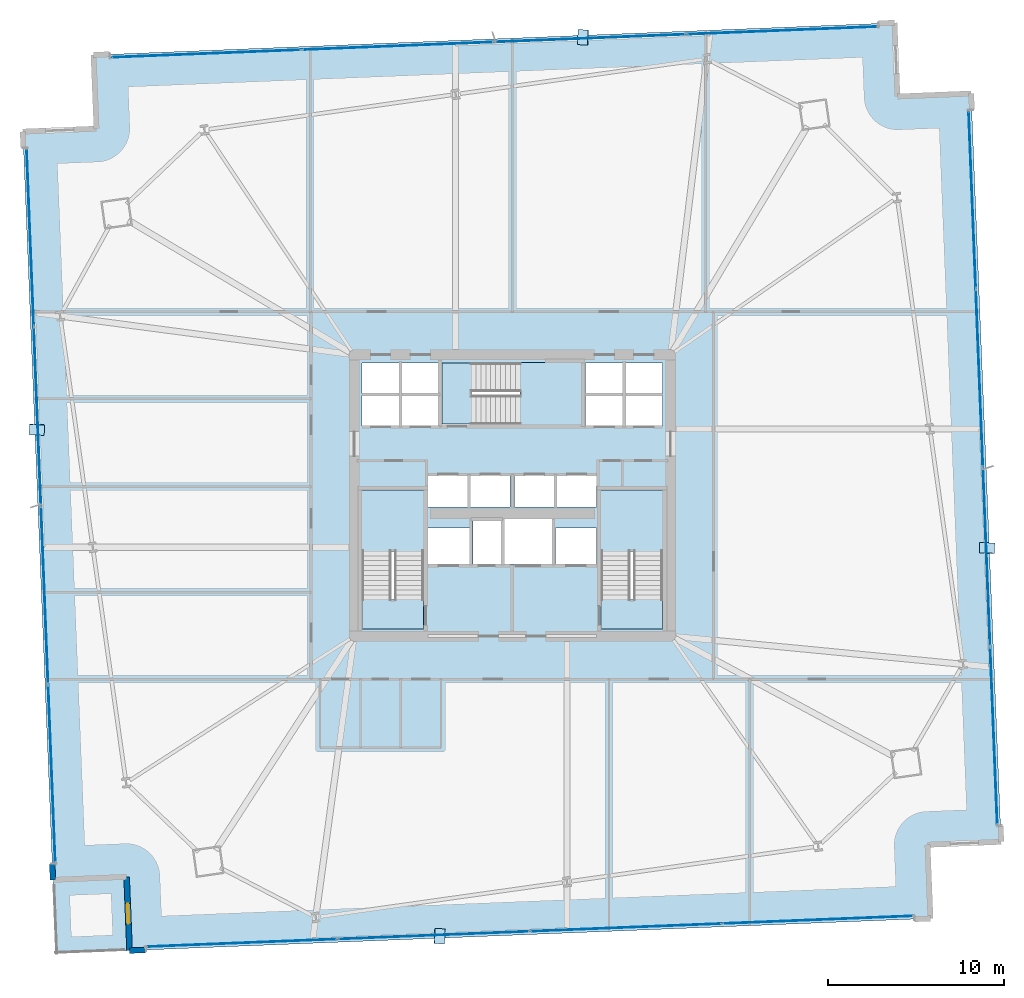
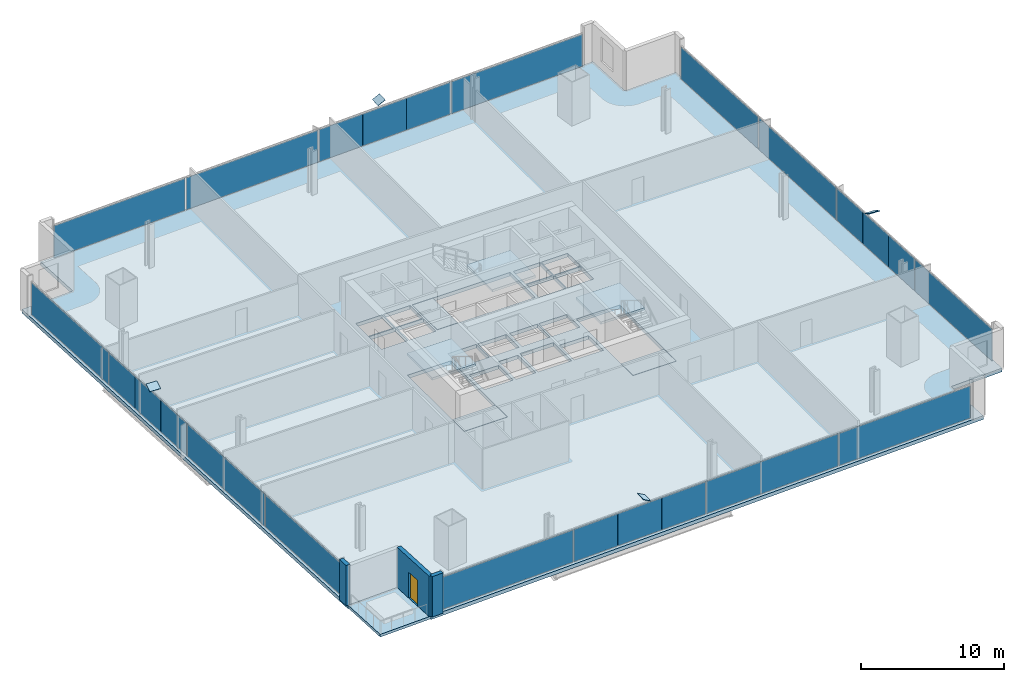
# One storey, part 24 of 32: 28 plates, 8 slabs, 3 walls, 1 door, 1 opening, 7 elements without a shape of their own.
"""IFC4 building model written with IfcOpenShell, lengths in metres."""

from ifc_helpers import new_model, si_unit, direction, frame, frame_2d, origin, origin_2d, place, context, subcontext, project, spatial, polyline, rectangle, outline, extrude, source, transform, mapped, material, layer, layer_set, type_object, element, fill, aggregate, save


model = new_model("IFC4")

# Units and contexts
model_context = context("Model", 3, precision=1e-05, world=origin(), true_north=direction((0.0, 1.0)))
body_context = subcontext(model_context, "Body", "Model", "MODEL_VIEW")
ifc_project = project(units=[si_unit("LENGTHUNIT", "METRE"), si_unit("AREAUNIT", "SQUARE_METRE"), si_unit("VOLUMEUNIT", "CUBIC_METRE"), si_unit("PLANEANGLEUNIT", "RADIAN"), si_unit("MASSUNIT", "GRAM", prefix="KILO")], contexts=[model_context])

# Site, building, storey
site_placement = place(None, origin())
site = spatial("IfcSite", under=ifc_project, at=site_placement, CompositionType="ELEMENT")
building_placement = place(site_placement, origin())
building = spatial("IfcBuilding", under=site, at=building_placement, Name="Haldenkirk Collegiate Tower", CompositionType="ELEMENT")
storey_placement = place(building_placement, frame((0.0, 0.0, 36.449951171875)))
storey = spatial("IfcBuildingStorey", under=building, at=storey_placement, Name="L07", CompositionType="ELEMENT", Elevation=36.449951171875)

# Slab
ifc_material_1 = material(Name="Concrete f'c 40 MPa", Category="concrete")
ifc_layer_1 = layer(ifc_material_1, 0.31005859375)
ifc_layer_set_1 = layer_set([ifc_layer_1], Name="Concrete f'c 40 MPa")
slab_type_1 = type_object("IfcSlabType", Name="SLB-FLR-310", PredefinedType="FLOOR", material=ifc_layer_set_1)
slab_1_placement = place(storey_placement, frame((0.0, 0.0, -0.31005859375)))
element("IfcSlab", 1, at=slab_1_placement, inside=storey, type_object=slab_type_1, Name="L07 composite structural floor slab", PredefinedType="FLOOR", context=body_context, shape_type="SweptSolid", body=[
    extrude(outline(polyline([(14.2216796875, 0.10498046875), (59.784912109375, 1.93505859375), (59.616455078125, 6.1318359375), (63.81298828125, 6.30029296875), (62.103515625, 48.865966796875), (57.90673828125, 48.697509765625), (57.73828125, 52.89404296875), (12.1748046875, 51.06396484375), (12.343505859375, 46.867431640625), (8.14697265625, 46.698974609375), (9.8564453125, 4.13330078125), (14.052978515625, 4.3017578125), (14.2216796875, 0.10498046875)]), holes=[polyline([(27.449951171875, 18.39990234375), (30.949951171875, 18.39990234375), (30.949951171875, 26.300048828125), (27.449951171875, 26.300048828125), (27.449951171875, 18.39990234375)]), polyline([(41.050048828125, 18.39990234375), (44.550048828125, 18.39990234375), (44.550048828125, 26.300048828125), (41.050048828125, 26.300048828125), (41.050048828125, 18.39990234375)]), polyline([(32.0, 30.050048828125), (39.89990234375, 30.050048828125), (39.89990234375, 33.550048828125), (32.0, 33.550048828125), (32.0, 30.050048828125)]), polyline([(33.75, 22.10009765625), (35.35009765625, 22.10009765625), (35.35009765625, 24.550048828125), (33.75, 24.550048828125), (33.75, 22.10009765625)]), polyline([(27.449951171875, 29.949951171875), (29.580078125, 29.949951171875), (29.580078125, 31.699951171875), (27.449951171875, 31.699951171875), (27.449951171875, 29.949951171875)]), polyline([(29.679931640625, 29.949951171875), (31.85009765625, 29.949951171875), (31.85009765625, 31.699951171875), (29.679931640625, 31.699951171875), (29.679931640625, 29.949951171875)]), polyline([(27.449951171875, 31.800048828125), (29.580078125, 31.800048828125), (29.580078125, 33.550048828125), (27.449951171875, 33.550048828125), (27.449951171875, 31.800048828125)]), polyline([(29.679931640625, 31.800048828125), (31.85009765625, 31.800048828125), (31.85009765625, 33.550048828125), (29.679931640625, 33.550048828125), (29.679931640625, 31.800048828125)]), polyline([(40.14990234375, 29.949951171875), (42.320068359375, 29.949951171875), (42.320068359375, 31.699951171875), (40.14990234375, 31.699951171875), (40.14990234375, 29.949951171875)]), polyline([(42.419921875, 29.949951171875), (44.550048828125, 29.949951171875), (44.550048828125, 31.699951171875), (42.419921875, 31.699951171875), (42.419921875, 29.949951171875)]), polyline([(40.14990234375, 31.800048828125), (42.320068359375, 31.800048828125), (42.320068359375, 33.550048828125), (40.14990234375, 33.550048828125), (40.14990234375, 31.800048828125)]), polyline([(42.419921875, 31.800048828125), (44.550048828125, 31.800048828125), (44.550048828125, 33.550048828125), (42.419921875, 33.550048828125), (42.419921875, 31.800048828125)]), polyline([(31.199951171875, 25.35009765625), (33.47998046875, 25.35009765625), (33.47998046875, 27.14990234375), (31.199951171875, 27.14990234375), (31.199951171875, 25.35009765625)]), polyline([(33.60009765625, 25.35009765625), (35.8798828125, 25.35009765625), (35.8798828125, 27.14990234375), (33.60009765625, 27.14990234375), (33.60009765625, 25.35009765625)]), polyline([(36.1201171875, 25.35009765625), (38.39990234375, 25.35009765625), (38.39990234375, 27.14990234375), (36.1201171875, 27.14990234375), (36.1201171875, 25.35009765625)]), polyline([(38.52001953125, 25.35009765625), (40.800048828125, 25.35009765625), (40.800048828125, 27.14990234375), (38.52001953125, 27.14990234375), (38.52001953125, 25.35009765625)]), polyline([(31.199951171875, 22.10009765625), (33.550048828125, 22.10009765625), (33.550048828125, 24.14990234375), (31.199951171875, 24.14990234375), (31.199951171875, 22.10009765625)]), polyline([(38.449951171875, 22.10009765625), (40.800048828125, 22.10009765625), (40.800048828125, 24.14990234375), (38.449951171875, 24.14990234375), (38.449951171875, 22.10009765625)]), polyline([(35.550048828125, 22.10009765625), (38.25, 22.10009765625), (38.25, 24.64990234375), (35.550048828125, 24.64990234375), (35.550048828125, 22.10009765625)])]), origin(), (0.0, 0.0, 1.0), 0.31005859375),
])

# Stair, slab
stair_type = type_object("IfcStairType", Name="STR-DOGLEG-1650", PredefinedType="HALF_TURN_STAIR", material=ifc_material_1)
stair_1_placement = place(storey_placement, origin())
stair_1 = element("IfcStair", 2, at=stair_1_placement, inside=storey, type_object=stair_type, Name="L07 Core Exit Stair ST-1", PredefinedType="HALF_TURN_STAIR")
ifc_layer_2 = layer(ifc_material_1, 0.199951171875)
ifc_layer_set_2 = layer_set([ifc_layer_2], Name="Concrete f'c 40 MPa")
slab_type_2 = type_object("IfcSlabType", Name="SLB-LANDING-200", PredefinedType="LANDING", material=ifc_layer_set_2)
slab_2_placement = place(storey_placement, frame((0.0, 0.0, 1.675048828125)))
slab_2 = element("IfcSlab", 3, at=slab_2_placement, type_object=slab_type_2, Name="ST-1 landing 1", PredefinedType="LANDING", context=body_context, shape_type="SweptSolid", body=[
    extrude(outline(polyline([(30.97509765625, 22.824951171875), (27.425048828125, 22.824951171875), (27.425048828125, 26.324951171875), (30.97509765625, 26.324951171875), (30.97509765625, 22.824951171875)])), origin(), (0.0, 0.0, 1.0), 0.199951171875),
])
aggregate(stair_1, [slab_2])

stair_2_placement = place(storey_placement, origin())
stair_2 = element("IfcStair", 4, at=stair_2_placement, inside=storey, type_object=stair_type, Name="L07 Core Exit Stair ST-2", PredefinedType="HALF_TURN_STAIR")
slab_3_placement = place(storey_placement, frame((0.0, 0.0, 1.675048828125)))
slab_3 = element("IfcSlab", 5, at=slab_3_placement, type_object=slab_type_2, Name="ST-2 landing 1", PredefinedType="LANDING", context=body_context, shape_type="SweptSolid", body=[
    extrude(outline(polyline([(44.574951171875, 22.824951171875), (41.02490234375, 22.824951171875), (41.02490234375, 26.324951171875), (44.574951171875, 26.324951171875), (44.574951171875, 22.824951171875)])), origin(), (0.0, 0.0, 1.0), 0.199951171875),
])
aggregate(stair_2, [slab_3])

stair_3_placement = place(storey_placement, origin())
stair_3 = element("IfcStair", 6, at=stair_3_placement, inside=storey, type_object=stair_type, Name="L07 Core Exit Stair ST-3", PredefinedType="HALF_TURN_STAIR")
slab_4_placement = place(storey_placement, frame((0.0, 0.0, 1.675048828125)))
slab_4 = element("IfcSlab", 7, at=slab_4_placement, type_object=slab_type_2, Name="ST-3 landing 1", PredefinedType="LANDING", context=body_context, shape_type="SweptSolid", body=[
    extrude(outline(polyline([(36.425048828125, 30.02490234375), (36.425048828125, 33.574951171875), (39.925048828125, 33.574951171875), (39.925048828125, 30.02490234375), (36.425048828125, 30.02490234375)])), origin(), (0.0, 0.0, 1.0), 0.199951171875),
])
aggregate(stair_3, [slab_4])

# Slabs
ifc_layer_3 = layer(ifc_material_1, 0.25)
ifc_layer_set_3 = layer_set([ifc_layer_3], Name="Concrete f'c 40 MPa")
slab_type_3 = type_object("IfcSlabType", Name="SLB-STAIRLAND-250", PredefinedType="LANDING", material=ifc_layer_set_3)
slab_5_placement = place(storey_placement, frame((0.0, 0.0, -0.25)))
element("IfcSlab", 8, at=slab_5_placement, inside=storey, type_object=slab_type_3, Name="L07 stair ST1 structural floor landing slab", PredefinedType="LANDING", context=body_context, shape_type="SweptSolid", body=[
    extrude(outline(polyline([(27.4599609375, 18.409912109375), (30.93994140625, 18.409912109375), (30.93994140625, 20.080078125), (27.4599609375, 20.080078125), (27.4599609375, 18.409912109375)])), origin(), (0.0, 0.0, 1.0), 0.25),
])
slab_6_placement = place(storey_placement, frame((0.0, 0.0, -0.25)))
element("IfcSlab", 9, at=slab_6_placement, inside=storey, type_object=slab_type_3, Name="L07 stair ST2 structural floor landing slab", PredefinedType="LANDING", context=body_context, shape_type="SweptSolid", body=[
    extrude(outline(polyline([(41.06005859375, 18.409912109375), (44.5400390625, 18.409912109375), (44.5400390625, 20.080078125), (41.06005859375, 20.080078125), (41.06005859375, 18.409912109375)])), origin(), (0.0, 0.0, 1.0), 0.25),
])
slab_7_placement = place(storey_placement, frame((0.0, 0.0, -0.25)))
element("IfcSlab", 10, at=slab_7_placement, inside=storey, type_object=slab_type_3, Name="L07 stair ST3 structural floor landing slab", PredefinedType="LANDING", context=body_context, shape_type="SweptSolid", body=[
    extrude(outline(polyline([(32.010009765625, 30.06005859375), (33.679931640625, 30.06005859375), (33.679931640625, 33.5400390625), (32.010009765625, 33.5400390625), (32.010009765625, 30.06005859375)])), origin(), (0.0, 0.0, 1.0), 0.25),
])
ifc_layer_4 = layer(ifc_material_1, 0.22998046875)
ifc_layer_set_4 = layer_set([ifc_layer_4], Name="Concrete f'c 40 MPa")
slab_type_4 = type_object("IfcSlabType", Name="SLB-TERR-SPIRAL-230", PredefinedType="FLOOR", material=ifc_layer_set_4)
slab_8_placement = place(storey_placement, frame((0.0, 0.0, -0.22998046875)))
element("IfcSlab", 11, at=slab_8_placement, inside=storey, type_object=slab_type_4, Name="L07 spiralling corner terrace slab", PredefinedType="FLOOR", context=body_context, shape_type="SweptSolid", body=[
    extrude(outline(polyline([(10.02490234375, -0.0634765625), (14.2216796875, 0.10498046875), (14.052978515625, 4.3017578125), (9.8564453125, 4.13330078125), (10.02490234375, -0.0634765625)])), origin(), (0.0, 0.0, 1.0), 0.22998046875),
])

# Plates
ifc_material_2 = material(Name="Steel ASTM A572 Grade 50", Category="steel")
ifc_layer_5 = layer(ifc_material_2, 0.034912109375)
ifc_layer_set_5 = layer_set([ifc_layer_5], Name="Steel ASTM A572 Grade 50")
plate_type_1 = type_object("IfcPlateType", Name="PLT-CAP-EXT-760X600", PredefinedType="USERDEFINED", material=ifc_layer_set_5)
shared_shape_1 = source(origin(), body_context, "Body", "SweptSolid", [
    extrude(rectangle(XDim=0.860107421875, YDim=0.659912109375, at=origin_2d()), origin(), (0.0, 0.0, 1.0), 0.034912109375),
])
for number, where, z_axis, x_axis, name in (
    (12, (31.857666015625, 0.925537109375, 3.42724609375), (0.47594008721, -0.021406003922, 0.879217161106), (0.044931737451, 0.998990059495, -4.88968e-07), "Perimeter Mega Brace Z1 L05-L07 SL end cap plate 2"),
    (13, (63.00927734375, 23.004150390625, 3.42724609375), (0.016899997224, 0.451373925862, 0.89217485346), (-0.999299843579, 0.037414203497, 4.13223e-07), "Perimeter Mega Brace Z1 L05-L07 EL end cap plate 2"),
    (14, (40.022216796875, 52.069091796875, 3.42724609375), (-0.47648876031, 0.021006989433, 0.878929557868), (-0.044044820589, -0.999029556009, -2.94261e-07), "Perimeter Mega Brace Z1 L05-L07 NL end cap plate 2"),
    (15, (8.945556640625, 29.748291015625, 3.427490234375), (-0.020316993042, -0.444418847793, 0.895588693274), (0.998956635038, -0.045668822125, -3.24151e-07), "Perimeter Mega Brace Z1 L05-L07 WL end cap plate 2"),
):
    element("IfcPlate", number, at=place(storey_placement, frame(where, z_axis=z_axis, x_axis=x_axis)), inside=storey, type_object=plate_type_1, Name=name, ObjectType="END CAP PLATE", PredefinedType="USERDEFINED", context=body_context, shape_type="MappedRepresentation", body=[
        mapped(shared_shape_1, transform((0.0, 0.0, 0.0), x_axis=(1.0, 0.0, 0.0), y_axis=(0.0, 1.0, 0.0), z_axis=(0.0, 0.0, 1.0), scale=1.0)),
    ])

# Curtain wall, plates
ifc_material_3 = material(Name="Anodised architectural bronze aluminium", Category="aluminium")
curtain_wall_type_1 = type_object("IfcCurtainWallType", Name="CW-SYS2-CONCAVE", PredefinedType="USERDEFINED", material=ifc_material_3)
curtain_wall_1_placement = place(storey_placement, origin())
curtain_wall_1 = element("IfcCurtainWall", 16, at=curtain_wall_1_placement, inside=storey, type_object=curtain_wall_type_1, Name="L07 South concave recessed bronze-anodised curtain wall", ObjectType="UNITISED CURTAIN WALL", PredefinedType="USERDEFINED")
ifc_material_4 = material(Name="Low-E argon triple insulating glass", Category="glass")
ifc_layer_6 = layer(ifc_material_4, 0.0419921875)
ifc_layer_set_6 = layer_set([ifc_layer_6], Name="Low-E argon triple insulating glass")
plate_type_2 = type_object("IfcPlateType", Name="CW-PNL-02", PredefinedType="CURTAIN_PANEL", material=ifc_layer_set_6)
shared_shape_2 = source(origin(), body_context, "Body", "SweptSolid", [
    extrude(rectangle(XDim=10.875, YDim=0.0419921875, at=origin_2d()), origin(), (0.0, 0.0, 1.0), 2.740966796875),
])
plate_1_placement = place(storey_placement, frame((42.466796875, 1.419677734375, 0.0751953125), z_axis=(0.0, 0.0, 1.0), x_axis=(-0.999194365739, -0.040132523917, 0.0)))
plate_1 = element("IfcPlate", 17, at=plate_1_placement, type_object=plate_type_2, Name="CW-02 panel 2.1", PredefinedType="CURTAIN_PANEL", context=body_context, shape_type="MappedRepresentation", body=[
    mapped(shared_shape_2, transform((0.0, 0.0, 0.0), x_axis=(1.0, 0.0, 0.0), y_axis=(0.0, 1.0, 0.0), z_axis=(0.0, 0.0, 1.0), scale=1.0)),
])
ifc_material_5 = material(Name="Bronze-anodised insulated aluminium spandrel panel", Category="aluminium")
ifc_layer_7 = layer(ifc_material_5, 0.0419921875)
ifc_layer_set_7 = layer_set([ifc_layer_7], Name="Bronze-anodised insulated aluminium spandrel panel")
plate_type_3 = type_object("IfcPlateType", Name="CW-SPD-02", PredefinedType="CURTAIN_PANEL", material=ifc_layer_set_7)
shared_shape_3 = source(origin(), body_context, "Body", "SweptSolid", [
    extrude(rectangle(XDim=3.612548828125, YDim=0.0419921875, at=origin_2d()), origin(), (0.0, 0.0, 1.0), 2.740966796875),
])
plate_2_placement = place(storey_placement, frame((35.15380859375, 1.1259765625, 0.0751953125), z_axis=(0.0, 0.0, 1.0), x_axis=(-0.999194365739, -0.040132523917, 0.0)))
plate_2 = element("IfcPlate", 18, at=plate_2_placement, type_object=plate_type_3, Name="CW-02 spandrel panel 3.1a", PredefinedType="CURTAIN_PANEL", context=body_context, shape_type="MappedRepresentation", body=[
    mapped(shared_shape_3, transform((0.0, 0.0, 0.0), x_axis=(1.0, 0.0, 0.0), y_axis=(0.0, 1.0, 0.0), z_axis=(0.0, 0.0, 1.0), scale=1.0)),
])
plate_3_placement = place(storey_placement, frame((27.897216796875, 0.83447265625, 0.0751953125), z_axis=(0.0, 0.0, 1.0), x_axis=(-0.999194365739, -0.040132523917, 0.0)))
plate_3 = element("IfcPlate", 19, at=plate_3_placement, type_object=plate_type_3, Name="CW-02 spandrel panel 3.1c", PredefinedType="CURTAIN_PANEL", context=body_context, shape_type="MappedRepresentation", body=[
    mapped(shared_shape_3, transform((0.0, 0.0, 0.0), x_axis=(1.0, 0.0, 0.0), y_axis=(0.0, 1.0, 0.0), z_axis=(0.0, 0.0, 1.0), scale=1.0)),
])
shared_shape_4 = source(origin(), body_context, "Body", "SweptSolid", [
    extrude(rectangle(XDim=3.60009765625, YDim=0.0419921875, at=origin_2d()), origin(), (0.0, 0.0, 1.0), 2.740966796875),
])
plate_4_placement = place(storey_placement, frame((31.525390625, 0.980224609375, 0.0751953125), z_axis=(0.0, 0.0, 1.0), x_axis=(-0.999194365739, -0.040132523917, 0.0)))
plate_4 = element("IfcPlate", 20, at=plate_4_placement, type_object=plate_type_3, Name="CW-02 spandrel panel 3.1b", PredefinedType="CURTAIN_PANEL", context=body_context, shape_type="MappedRepresentation", body=[
    mapped(shared_shape_4, transform((0.0, 0.0, 0.0), x_axis=(1.0, 0.0, 0.0), y_axis=(0.0, 1.0, 0.0), z_axis=(0.0, 0.0, 1.0), scale=1.0)),
])

curtain_wall_type_2 = type_object("IfcCurtainWallType", Name="CW-SYS1-CONVEX-LOW", PredefinedType="USERDEFINED", material=ifc_material_3)
curtain_wall_2_placement = place(storey_placement, origin())
curtain_wall_2 = element("IfcCurtainWall", 21, at=curtain_wall_2_placement, inside=storey, type_object=curtain_wall_type_2, Name="L07 Lower tower convex bronze-framed unitised curtain wall", ObjectType="UNITISED CURTAIN WALL", PredefinedType="USERDEFINED")
ifc_layer_8 = layer(ifc_material_4, 0.0439453125)
ifc_layer_set_8 = layer_set([ifc_layer_8], Name="Low-E argon triple insulating glass")
plate_type_4 = type_object("IfcPlateType", Name="CW-PNL-1A", PredefinedType="CURTAIN_PANEL", material=ifc_layer_set_8)
shared_shape_5 = source(origin(), body_context, "Body", "SweptSolid", [
    extrude(rectangle(XDim=10.080078125, YDim=0.0439453125, at=origin_2d()), origin(), (0.0, 0.0, 1.0), 2.73095703125),
])
plate_5_placement = place(storey_placement, frame((62.1650390625, 42.84375, 0.080078125), z_axis=(0.0, 0.0, 1.0), x_axis=(0.040132382816, -0.999194371406, 0.0)))
plate_5 = element("IfcPlate", 22, at=plate_5_placement, type_object=plate_type_4, Name="CW-1A panel 1.1", PredefinedType="CURTAIN_PANEL", context=body_context, shape_type="MappedRepresentation", body=[
    mapped(shared_shape_5, transform((0.0, 0.0, 0.0), x_axis=(1.0, 0.0, 0.0), y_axis=(0.0, 1.0, 0.0), z_axis=(0.0, 0.0, 1.0), scale=1.0)),
])
plate_6_placement = place(storey_placement, frame((63.3916015625, 12.308349609375, 0.080078125), z_axis=(0.0, 0.0, 1.0), x_axis=(0.040132382816, -0.999194371406, 0.0)))
plate_6 = element("IfcPlate", 23, at=plate_6_placement, type_object=plate_type_4, Name="CW-1A panel 4.1", PredefinedType="CURTAIN_PANEL", context=body_context, shape_type="MappedRepresentation", body=[
    mapped(shared_shape_5, transform((0.0, 0.0, 0.0), x_axis=(1.0, 0.0, 0.0), y_axis=(0.0, 1.0, 0.0), z_axis=(0.0, 0.0, 1.0), scale=1.0)),
])

curtain_wall_3_placement = place(storey_placement, origin())
curtain_wall_3 = element("IfcCurtainWall", 24, at=curtain_wall_3_placement, inside=storey, type_object=curtain_wall_type_2, Name="L07 Lower tower convex bronze-framed unitised curtain wall", ObjectType="UNITISED CURTAIN WALL", PredefinedType="USERDEFINED")
plate_7_placement = place(storey_placement, frame((9.794921875, 10.155517578125, 0.080078125), z_axis=(0.0, 0.0, 1.0), x_axis=(-0.040132382816, 0.999194371406, 0.0)))
plate_7 = element("IfcPlate", 25, at=plate_7_placement, type_object=plate_type_4, Name="CW-1A panel 1.1", PredefinedType="CURTAIN_PANEL", context=body_context, shape_type="MappedRepresentation", body=[
    mapped(shared_shape_5, transform((0.0, 0.0, 0.0), x_axis=(1.0, 0.0, 0.0), y_axis=(0.0, 1.0, 0.0), z_axis=(0.0, 0.0, 1.0), scale=1.0)),
])
plate_8_placement = place(storey_placement, frame((8.568359375, 40.69091796875, 0.080078125), z_axis=(0.0, 0.0, 1.0), x_axis=(-0.040132382816, 0.999194371406, 0.0)))
plate_8 = element("IfcPlate", 26, at=plate_8_placement, type_object=plate_type_4, Name="CW-1A panel 4.1", PredefinedType="CURTAIN_PANEL", context=body_context, shape_type="MappedRepresentation", body=[
    mapped(shared_shape_5, transform((0.0, 0.0, 0.0), x_axis=(1.0, 0.0, 0.0), y_axis=(0.0, 1.0, 0.0), z_axis=(0.0, 0.0, 1.0), scale=1.0)),
])

# Plate
ifc_layer_9 = layer(ifc_material_5, 0.0439453125)
ifc_layer_set_9 = layer_set([ifc_layer_9], Name="Bronze-anodised insulated aluminium spandrel panel")
plate_type_5 = type_object("IfcPlateType", Name="CW-SPD-1A", PredefinedType="CURTAIN_PANEL", material=ifc_layer_set_9)
shared_shape_6 = source(origin(), body_context, "Body", "SweptSolid", [
    extrude(rectangle(XDim=3.36083984375, YDim=0.0439453125, at=origin_2d()), origin(), (0.0, 0.0, 1.0), 2.73095703125),
])
plate_9_placement = place(storey_placement, frame((62.847412109375, 25.85693359375, 0.080078125), z_axis=(0.0, 0.0, 1.0), x_axis=(0.040132382816, -0.999194371406, 0.0)))
plate_9 = element("IfcPlate", 27, at=plate_9_placement, type_object=plate_type_5, Name="CW-1A spandrel panel 3.1a", PredefinedType="CURTAIN_PANEL", context=body_context, shape_type="MappedRepresentation", body=[
    mapped(shared_shape_6, transform((0.0, 0.0, 0.0), x_axis=(1.0, 0.0, 0.0), y_axis=(0.0, 1.0, 0.0), z_axis=(0.0, 0.0, 1.0), scale=1.0)),
])

plate_10_placement = place(storey_placement, frame((63.11865234375, 19.103271484375, 0.080078125), z_axis=(0.0, 0.0, 1.0), x_axis=(0.040132382816, -0.999194371406, 0.0)))
plate_10 = element("IfcPlate", 28, at=plate_10_placement, type_object=plate_type_5, Name="CW-1A spandrel panel 3.1c", PredefinedType="CURTAIN_PANEL", context=body_context, shape_type="MappedRepresentation", body=[
    mapped(shared_shape_6, transform((0.0, 0.0, 0.0), x_axis=(1.0, 0.0, 0.0), y_axis=(0.0, 1.0, 0.0), z_axis=(0.0, 0.0, 1.0), scale=1.0)),
])

plate_11_placement = place(storey_placement, frame((9.112548828125, 27.142333984375, 0.080078125), z_axis=(0.0, 0.0, 1.0), x_axis=(-0.040132382816, 0.999194371406, 0.0)))
plate_11 = element("IfcPlate", 29, at=plate_11_placement, type_object=plate_type_5, Name="CW-1A spandrel panel 3.1a", PredefinedType="CURTAIN_PANEL", context=body_context, shape_type="MappedRepresentation", body=[
    mapped(shared_shape_6, transform((0.0, 0.0, 0.0), x_axis=(1.0, 0.0, 0.0), y_axis=(0.0, 1.0, 0.0), z_axis=(0.0, 0.0, 1.0), scale=1.0)),
])

plate_12_placement = place(storey_placement, frame((8.84130859375, 33.89599609375, 0.080078125), z_axis=(0.0, 0.0, 1.0), x_axis=(-0.040132382816, 0.999194371406, 0.0)))
plate_12 = element("IfcPlate", 30, at=plate_12_placement, type_object=plate_type_4, Name="CW-1A panel 3.1c", PredefinedType="CURTAIN_PANEL", context=body_context, shape_type="MappedRepresentation", body=[
    mapped(shared_shape_6, transform((0.0, 0.0, 0.0), x_axis=(1.0, 0.0, 0.0), y_axis=(0.0, 1.0, 0.0), z_axis=(0.0, 0.0, 1.0), scale=1.0)),
])

shared_shape_7 = source(origin(), body_context, "Body", "SweptSolid", [
    extrude(rectangle(XDim=3.348388671875, YDim=0.0439453125, at=origin_2d()), origin(), (0.0, 0.0, 1.0), 2.73095703125),
])
plate_13_placement = place(storey_placement, frame((62.98291015625, 22.47998046875, 0.080078125), z_axis=(0.0, 0.0, 1.0), x_axis=(0.040132382816, -0.999194371406, 0.0)))
plate_13 = element("IfcPlate", 31, at=plate_13_placement, type_object=plate_type_5, Name="CW-1A spandrel panel 3.1b", PredefinedType="CURTAIN_PANEL", context=body_context, shape_type="MappedRepresentation", body=[
    mapped(shared_shape_7, transform((0.0, 0.0, 0.0), x_axis=(1.0, 0.0, 0.0), y_axis=(0.0, 1.0, 0.0), z_axis=(0.0, 0.0, 1.0), scale=1.0)),
])

plate_14_placement = place(storey_placement, frame((8.976806640625, 30.51904296875, 0.080078125), z_axis=(0.0, 0.0, 1.0), x_axis=(-0.040132382816, 0.999194371406, 0.0)))
plate_14 = element("IfcPlate", 32, at=plate_14_placement, type_object=plate_type_5, Name="CW-1A spandrel panel 3.1b", PredefinedType="CURTAIN_PANEL", context=body_context, shape_type="MappedRepresentation", body=[
    mapped(shared_shape_7, transform((0.0, 0.0, 0.0), x_axis=(1.0, 0.0, 0.0), y_axis=(0.0, 1.0, 0.0), z_axis=(0.0, 0.0, 1.0), scale=1.0)),
])

# Curtain wall, plates
curtain_wall_4_placement = place(storey_placement, origin())
curtain_wall_4 = element("IfcCurtainWall", 33, at=curtain_wall_4_placement, inside=storey, type_object=curtain_wall_type_2, Name="L07 Lower tower convex bronze-framed unitised curtain wall", ObjectType="UNITISED CURTAIN WALL", PredefinedType="USERDEFINED")
shared_shape_8 = source(origin(), body_context, "Body", "SweptSolid", [
    extrude(rectangle(XDim=10.830078125, YDim=0.0439453125, at=origin_2d()), origin(), (0.0, 0.0, 1.0), 2.73095703125),
])
plate_15_placement = place(storey_placement, frame((18.572021484375, 51.140625, 0.080078125), z_axis=(0.0, 0.0, 1.0), x_axis=(0.999194277861, 0.04013471179, 0.0)))
plate_15 = element("IfcPlate", 34, at=plate_15_placement, type_object=plate_type_4, Name="CW-1A panel 1.1", PredefinedType="CURTAIN_PANEL", context=body_context, shape_type="MappedRepresentation", body=[
    mapped(shared_shape_8, transform((0.0, 0.0, 0.0), x_axis=(1.0, 0.0, 0.0), y_axis=(0.0, 1.0, 0.0), z_axis=(0.0, 0.0, 1.0), scale=1.0)),
])
plate_16_placement = place(storey_placement, frame((51.35546875, 52.45751953125, 0.080078125), z_axis=(0.0, 0.0, 1.0), x_axis=(0.999194277861, 0.04013471179, 0.0)))
plate_16 = element("IfcPlate", 35, at=plate_16_placement, type_object=plate_type_4, Name="CW-1A panel 4.1", PredefinedType="CURTAIN_PANEL", context=body_context, shape_type="MappedRepresentation", body=[
    mapped(shared_shape_8, transform((0.0, 0.0, 0.0), x_axis=(1.0, 0.0, 0.0), y_axis=(0.0, 1.0, 0.0), z_axis=(0.0, 0.0, 1.0), scale=1.0)),
])
shared_shape_9 = source(origin(), body_context, "Body", "SweptSolid", [
    extrude(rectangle(XDim=10.8701171875, YDim=0.0439453125, at=origin_2d()), origin(), (0.0, 0.0, 1.0), 2.73095703125),
])
plate_17_placement = place(storey_placement, frame((29.4931640625, 51.579345703125, 0.080078125), z_axis=(0.0, 0.0, 1.0), x_axis=(0.999194277861, 0.04013471179, 0.0)))
plate_17 = element("IfcPlate", 36, at=plate_17_placement, type_object=plate_type_4, Name="CW-1A panel 2.1", PredefinedType="CURTAIN_PANEL", context=body_context, shape_type="MappedRepresentation", body=[
    mapped(shared_shape_9, transform((0.0, 0.0, 0.0), x_axis=(1.0, 0.0, 0.0), y_axis=(0.0, 1.0, 0.0), z_axis=(0.0, 0.0, 1.0), scale=1.0)),
])
shared_shape_10 = source(origin(), body_context, "Body", "SweptSolid", [
    extrude(rectangle(XDim=3.61083984375, YDim=0.0439453125, at=origin_2d()), origin(), (0.0, 0.0, 1.0), 2.73095703125),
])
plate_18_placement = place(storey_placement, frame((36.8076171875, 51.873291015625, 0.080078125), z_axis=(0.0, 0.0, 1.0), x_axis=(0.999194277861, 0.04013471179, 0.0)))
plate_18 = element("IfcPlate", 37, at=plate_18_placement, type_object=plate_type_5, Name="CW-1A spandrel panel 3.1a", PredefinedType="CURTAIN_PANEL", context=body_context, shape_type="MappedRepresentation", body=[
    mapped(shared_shape_10, transform((0.0, 0.0, 0.0), x_axis=(1.0, 0.0, 0.0), y_axis=(0.0, 1.0, 0.0), z_axis=(0.0, 0.0, 1.0), scale=1.0)),
])
plate_19_placement = place(storey_placement, frame((44.06103515625, 52.16455078125, 0.080078125), z_axis=(0.0, 0.0, 1.0), x_axis=(0.999194277861, 0.04013471179, 0.0)))
plate_19 = element("IfcPlate", 38, at=plate_19_placement, type_object=plate_type_5, Name="CW-1A spandrel panel 3.1c", PredefinedType="CURTAIN_PANEL", context=body_context, shape_type="MappedRepresentation", body=[
    mapped(shared_shape_10, transform((0.0, 0.0, 0.0), x_axis=(1.0, 0.0, 0.0), y_axis=(0.0, 1.0, 0.0), z_axis=(0.0, 0.0, 1.0), scale=1.0)),
])
shared_shape_11 = source(origin(), body_context, "Body", "SweptSolid", [
    extrude(rectangle(XDim=3.598388671875, YDim=0.0439453125, at=origin_2d()), origin(), (0.0, 0.0, 1.0), 2.73095703125),
])
plate_20_placement = place(storey_placement, frame((40.434326171875, 52.018798828125, 0.080078125), z_axis=(0.0, 0.0, 1.0), x_axis=(0.999194277861, 0.04013471179, 0.0)))
plate_20 = element("IfcPlate", 39, at=plate_20_placement, type_object=plate_type_5, Name="CW-1A spandrel panel 3.1b", PredefinedType="CURTAIN_PANEL", context=body_context, shape_type="MappedRepresentation", body=[
    mapped(shared_shape_11, transform((0.0, 0.0, 0.0), x_axis=(1.0, 0.0, 0.0), y_axis=(0.0, 1.0, 0.0), z_axis=(0.0, 0.0, 1.0), scale=1.0)),
])
aggregate(curtain_wall_4, [plate_15, plate_17, plate_18, plate_20, plate_19, plate_16])

# Plate
shared_shape_12 = source(origin(), body_context, "Body", "SweptSolid", [
    extrude(rectangle(XDim=10.83740234375, YDim=0.0419921875, at=origin_2d()), origin(), (0.0, 0.0, 1.0), 2.740966796875),
])
plate_21_placement = place(storey_placement, frame((53.38916015625, 1.8583984375, 0.0751953125), z_axis=(0.0, 0.0, 1.0), x_axis=(-0.999194365739, -0.040132523917, 0.0)))
plate_21 = element("IfcPlate", 40, at=plate_21_placement, type_object=plate_type_2, Name="CW-02 panel 1.1", PredefinedType="CURTAIN_PANEL", context=body_context, shape_type="MappedRepresentation", body=[
    mapped(shared_shape_12, transform((0.0, 0.0, 0.0), x_axis=(1.0, 0.0, 0.0), y_axis=(0.0, 1.0, 0.0), z_axis=(0.0, 0.0, 1.0), scale=1.0)),
])

plate_22_placement = place(storey_placement, frame((20.60302734375, 0.54150390625, 0.0751953125), z_axis=(0.0, 0.0, 1.0), x_axis=(-0.999194365739, -0.040132523917, 0.0)))
plate_22 = element("IfcPlate", 41, at=plate_22_placement, type_object=plate_type_2, Name="CW-02 panel 4.1", PredefinedType="CURTAIN_PANEL", context=body_context, shape_type="MappedRepresentation", body=[
    mapped(shared_shape_12, transform((0.0, 0.0, 0.0), x_axis=(1.0, 0.0, 0.0), y_axis=(0.0, 1.0, 0.0), z_axis=(0.0, 0.0, 1.0), scale=1.0)),
])

aggregate(curtain_wall_1, [plate_21, plate_1, plate_2, plate_4, plate_3, plate_22])

shared_shape_13 = source(origin(), body_context, "Body", "SweptSolid", [
    extrude(rectangle(XDim=10.119873046875, YDim=0.0439453125, at=origin_2d()), origin(), (0.0, 0.0, 1.0), 2.73095703125),
])
plate_23_placement = place(storey_placement, frame((62.57373046875, 32.671875, 0.080078125), z_axis=(0.0, 0.0, 1.0), x_axis=(0.040132382816, -0.999194371406, 0.0)))
plate_23 = element("IfcPlate", 42, at=plate_23_placement, type_object=plate_type_4, Name="CW-1A panel 2.1", PredefinedType="CURTAIN_PANEL", context=body_context, shape_type="MappedRepresentation", body=[
    mapped(shared_shape_13, transform((0.0, 0.0, 0.0), x_axis=(1.0, 0.0, 0.0), y_axis=(0.0, 1.0, 0.0), z_axis=(0.0, 0.0, 1.0), scale=1.0)),
])

aggregate(curtain_wall_2, [plate_5, plate_23, plate_9, plate_13, plate_10, plate_6])

plate_24_placement = place(storey_placement, frame((9.38623046875, 20.327392578125, 0.080078125), z_axis=(0.0, 0.0, 1.0), x_axis=(-0.040132382816, 0.999194371406, 0.0)))
plate_24 = element("IfcPlate", 43, at=plate_24_placement, type_object=plate_type_4, Name="CW-1A panel 2.1", PredefinedType="CURTAIN_PANEL", context=body_context, shape_type="MappedRepresentation", body=[
    mapped(shared_shape_13, transform((0.0, 0.0, 0.0), x_axis=(1.0, 0.0, 0.0), y_axis=(0.0, 1.0, 0.0), z_axis=(0.0, 0.0, 1.0), scale=1.0)),
])

aggregate(curtain_wall_3, [plate_7, plate_24, plate_11, plate_14, plate_12, plate_8])

# Walls
ifc_material_6 = material(Name="Precast concrete f'c 40 MPa", Category="concrete")
ifc_layer_10 = layer(ifc_material_6, 0.320068359375)
ifc_layer_set_10 = layer_set([ifc_layer_10], Name="Precast concrete f'c 40 MPa")
wall_type = type_object("IfcWallType", Name="WL-EXT-TWR-320", PredefinedType="STANDARD", material=ifc_layer_set_10)
wall_1_placement = place(storey_placement, frame((15.12109375, 0.14111328125, 0.0), z_axis=(0.0, 0.0, 1.0), x_axis=(-0.999194011416, -0.04014134465, 0.0)))
element("IfcWall", 44, at=wall_1_placement, inside=storey, type_object=wall_type, Name="L07 precast corner pier SR", PredefinedType="STANDARD", context=body_context, shape_type="SweptSolid", body=[
    extrude(rectangle(XDim=0.900146484375, YDim=0.320068359375, at=frame_2d((0.4501953125, 0.0))), origin(), (0.0, 0.0, 1.0), 3.43994140625),
])
wall_2_placement = place(storey_placement, frame((9.8564453125, 4.13330078125, 0.0), z_axis=(0.0, 0.0, 1.0), x_axis=(-0.04015222617, 0.999193574206, 0.0)))
element("IfcWall", 45, at=wall_2_placement, inside=storey, type_object=wall_type, Name="L07 precast corner pier WL", PredefinedType="STANDARD", context=body_context, shape_type="SweptSolid", body=[
    extrude(rectangle(XDim=0.89990234375, YDim=0.320068359375, at=frame_2d((0.449951171875, 0.0))), origin(), (0.0, 0.0, 1.0), 3.43994140625),
])

# Wall, opening, door
wall_3_placement = place(storey_placement, frame((14.2216796875, 0.10498046875, 0.0), z_axis=(0.0, 0.0, 1.0), x_axis=(-0.040165351673, 0.999193046676, 0.0)))
wall_3 = element("IfcWall", 46, at=wall_3_placement, inside=storey, type_object=wall_type, Name="L07 bronze precast notch wall 12", PredefinedType="STANDARD", context=body_context, shape_type="SweptSolid", body=[
    extrude(rectangle(XDim=4.2001953125, YDim=0.320068359375, at=frame_2d((2.10009765625, 0.0))), origin(), (0.0, 0.0, 1.0), 3.43994140625),
])
opening_placement = place(wall_3_placement, frame((1.52490234375, 0.0, 0.0)))
opening = element("IfcOpeningElement", 47, at=opening_placement, cuts=wall_3, Name="Opening D-ST11", PredefinedType="OPENING", context=body_context, shape_type="SweptSolid", body=[
    extrude(rectangle(XDim=1.14990234375, YDim=2.199951171875, at=frame_2d((0.574951171875, 1.10009765625))), frame((0.0, 0.169921875, 0.0), z_axis=(0.0, -1.0, 0.0), x_axis=(1.0, 0.0, 0.0)), (0.0, 0.0, 1.0), 0.340087890625),
])
ifc_layer_11 = layer(ifc_material_3, 0.080078125)
ifc_layer_set_11 = layer_set([ifc_layer_11], Name="Anodised architectural bronze aluminium")
door_type = type_object("IfcDoorType", Name="DR-EXT-STER-1150", OperationType="NOTDEFINED", PredefinedType="DOOR", material=ifc_layer_set_11)
door_placement = place(opening_placement, origin())
door = element("IfcDoor", 48, at=door_placement, inside=storey, type_object=door_type, Name="L07 spiralling terrace door", OperationType="SINGLE_SWING_RIGHT", OverallHeight=2.199951171875, OverallWidth=1.14990234375, PredefinedType="DOOR", context=body_context, shape_type="SweptSolid", body=[
    extrude(rectangle(XDim=1.14990234375, YDim=2.199951171875, at=frame_2d((0.574951171875, 1.10009765625))), frame((0.0, 0.02490234375, 0.0), z_axis=(0.0, -1.0, 0.0), x_axis=(1.0, 0.0, 0.0)), (0.0, 0.0, 1.0), 0.050048828125),
])
fill(opening, door)

save(model, "model.ifc")
